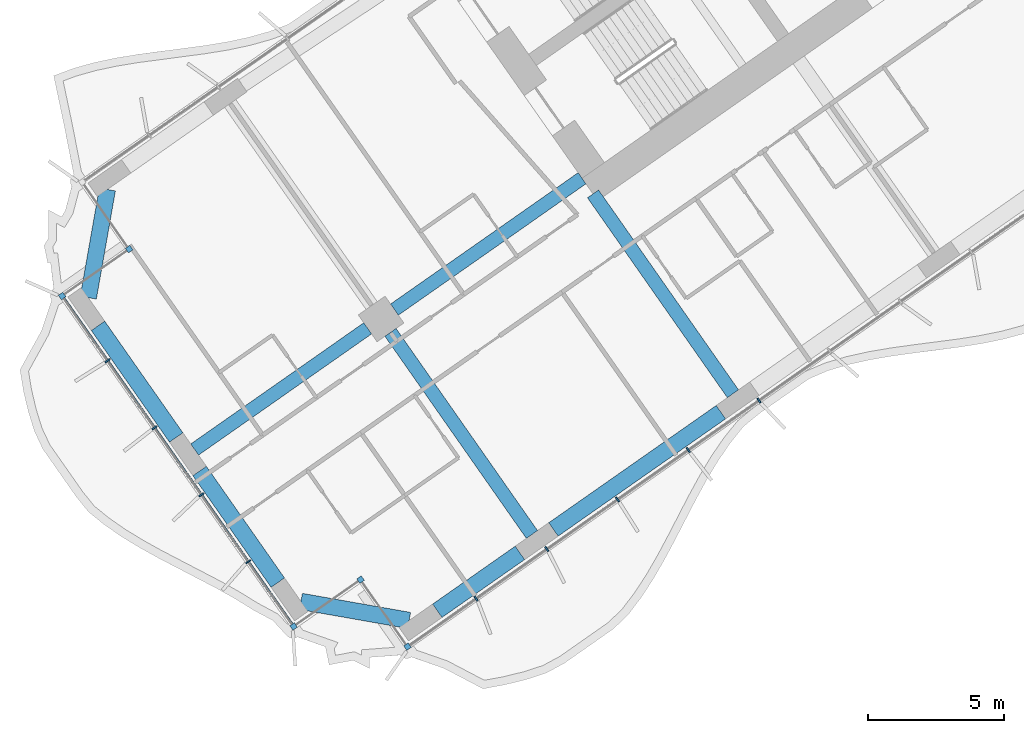
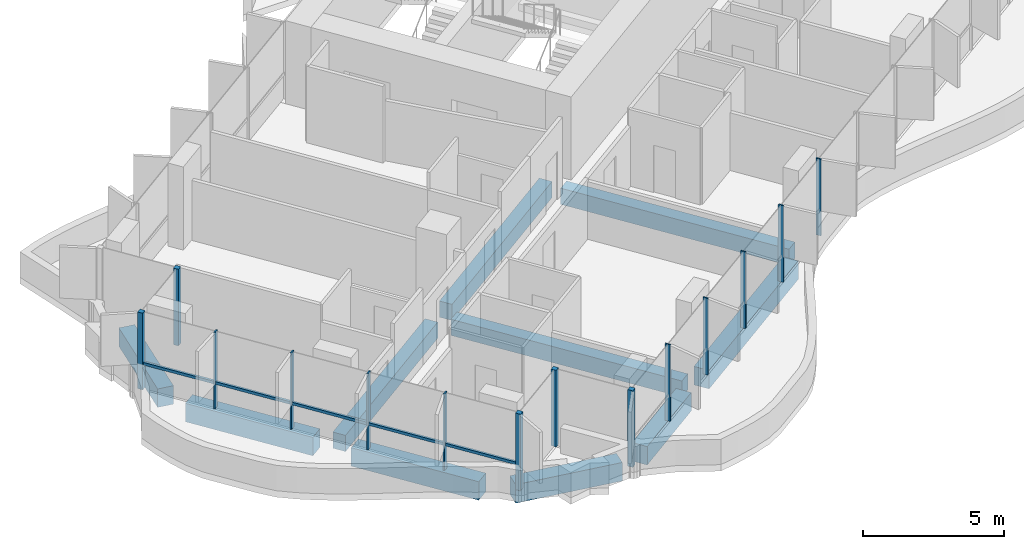
# One storey, part 2 of 23: 15 members, 10 beams, 1 element without a shape of its own.
"""IFC4 building model written with IfcOpenShell, lengths in metres."""

from ifc_helpers import new_model, si_unit, direction, frame, origin, origin_2d, place, context, subcontext, project, spatial, rectangle, extrude, material, material_profile, profile_set, type_object, element, aggregate, save


model = new_model("IFC4")

# Units and contexts
model_context = context("Model", 3, precision=1e-05, world=origin(), true_north=direction((0.0, 1.0)))
body_context = subcontext(model_context, "Body", "Model", "MODEL_VIEW")
ifc_project = project(units=[si_unit("LENGTHUNIT", "METRE"), si_unit("AREAUNIT", "SQUARE_METRE"), si_unit("VOLUMEUNIT", "CUBIC_METRE"), si_unit("PLANEANGLEUNIT", "RADIAN"), si_unit("MASSUNIT", "GRAM", prefix="KILO")], contexts=[model_context])

# Site, building, storey
site_placement = place(None, origin())
site = spatial("IfcSite", under=ifc_project, at=site_placement, CompositionType="ELEMENT")
building_placement = place(site_placement, origin())
building = spatial("IfcBuilding", under=site, at=building_placement, Name="Tel Ilan Convention Tower", CompositionType="ELEMENT")
storey_placement = place(building_placement, frame((0.0, 0.0, 104.89990234375)))
storey = spatial("IfcBuildingStorey", under=building, at=storey_placement, Name="L22", CompositionType="ELEMENT", Elevation=104.89990234375)

# Beams
ifc_material_1 = material(Name="Concrete C40/50", Category="concrete")
ifc_material_profile_1 = material_profile(ifc_material_1, rectangle(XDim=0.5, YDim=0.699951171875, at=origin_2d()), Name="RC 500x700")
ifc_profile_set_1 = profile_set([ifc_material_profile_1], Name="Concrete C40/50")
beam_type_1 = type_object("IfcBeamType", Name="Beam RC 500x700 Concrete C40/50", PredefinedType="BEAM", material=ifc_profile_set_1)
beam_1_placement = place(storey_placement, frame((-16.58203125, -23.391357421875, -0.6298828125), z_axis=(-0.573584999642, 0.819146048141, 0.0), x_axis=(-0.819146048141, -0.573584999642, 0.0)))
element("IfcBeam", 1, at=beam_1_placement, inside=storey, type_object=beam_type_1, Name="L22 beam W-W-F3-core", PredefinedType="BEAM", context=body_context, shape_type="SweptSolid", body=[
    extrude(rectangle(XDim=0.5, YDim=0.699951171875, at=origin_2d()), origin(), (0.0, 0.0, 1.0), 8.949951171875),
])
beam_2_placement = place(storey_placement, frame((-22.1171875, -15.486572265625, -0.6298828125), z_axis=(-0.819147254605, -0.573583276668, 0.0), x_axis=(0.573583276668, -0.819147254605, 0.0)))
element("IfcBeam", 2, at=beam_2_placement, inside=storey, type_object=beam_type_1, Name="L22 beam W-core-W-M4", PredefinedType="BEAM", context=body_context, shape_type="SweptSolid", body=[
    extrude(rectangle(XDim=0.5, YDim=0.699951171875, at=origin_2d()), origin(), (0.0, 0.0, 1.0), 8.400146484375),
])
beam_3_placement = place(storey_placement, frame((-29.98095703125, -20.992919921875, -0.6298828125), z_axis=(-0.819159394801, -0.573565938589, 0.0), x_axis=(0.573565938589, -0.819159394801, 0.0)))
element("IfcBeam", 3, at=beam_3_placement, inside=storey, type_object=beam_type_1, Name="L22 beam W-W-M4-end", PredefinedType="BEAM", context=body_context, shape_type="SweptSolid", body=[
    extrude(rectangle(XDim=0.5, YDim=0.699951171875, at=origin_2d()), origin(), (0.0, 0.0, 1.0), 7.75),
])
beam_4_placement = place(storey_placement, frame((-29.145263671875, -21.14013671875, -0.6298828125), z_axis=(0.573549245583, -0.819171082798, 0.0), x_axis=(0.819171082798, 0.573549245583, 0.0)))
element("IfcBeam", 4, at=beam_4_placement, inside=storey, type_object=beam_type_1, Name="L22 beam W-W-M4-W-F4", PredefinedType="BEAM", context=body_context, shape_type="SweptSolid", body=[
    extrude(rectangle(XDim=0.5, YDim=0.699951171875, at=origin_2d()), origin(), (0.0, 0.0, 1.0), 9.050048828125),
])
ifc_material_2 = material(Name="Concrete C40/50", Category="concrete")
ifc_material_profile_2 = material_profile(ifc_material_2, rectangle(XDim=0.60009765625, YDim=0.800048828125, at=origin_2d()), Name="RC 600x800")
ifc_profile_set_2 = profile_set([ifc_material_profile_2], Name="Concrete C40/50")
beam_type_2 = type_object("IfcBeamType", Name="Beam RC 600x800 Concrete C40/50", PredefinedType="BEAM", material=ifc_profile_set_2)
beam_5_placement = place(storey_placement, frame((-17.0244140625, -24.0673828125, -0.679931640625), z_axis=(-0.81915238829, -0.573575945067, 0.0), x_axis=(0.573575945067, -0.81915238829, 0.0)))
element("IfcBeam", 5, at=beam_5_placement, inside=storey, type_object=beam_type_2, Name="L22 beam W-W-F3-W-F4", PredefinedType="BEAM", context=body_context, shape_type="SweptSolid", body=[
    extrude(rectangle(XDim=0.60009765625, YDim=0.800048828125, at=origin_2d()), origin(), (0.0, 0.0, 1.0), 7.5),
])
beam_6_placement = place(storey_placement, frame((-24.396728515625, -29.2294921875, -0.679931640625), z_axis=(-0.819132709951, -0.573604047656, 0.0), x_axis=(0.573604047656, -0.819132709951, 0.0)))
element("IfcBeam", 6, at=beam_6_placement, inside=storey, type_object=beam_type_2, Name="L22 beam W-W-F4-W-FC", PredefinedType="BEAM", context=body_context, shape_type="SweptSolid", body=[
    extrude(rectangle(XDim=0.60009765625, YDim=0.800048828125, at=origin_2d()), origin(), (0.0, 0.0, 1.0), 3.699951171875),
])
beam_7_placement = place(storey_placement, frame((-28.459716796875, -31.708251953125, -0.679931640625), z_axis=(-0.984806721117, 0.173654029734, 0.0), x_axis=(-0.173654029734, -0.984806721117, 0.0)))
element("IfcBeam", 7, at=beam_7_placement, inside=storey, type_object=beam_type_2, Name="L22 beam W-W-FC-W-E1", PredefinedType="BEAM", context=body_context, shape_type="SweptSolid", body=[
    extrude(rectangle(XDim=0.60009765625, YDim=0.800048828125, at=origin_2d()), origin(), (0.0, 0.0, 1.0), 4.03076171875),
])
for number, where, z_axis, x_axis, name in (
    (8, (-33.277099609375, -30.3203125, -0.679931640625), (-0.573586866468, 0.819144740944, 0.0), (-0.819144740944, -0.573586866468, 0.0), "L22 beam W-W-E1-W-E2"),
    (9, (-37.00537109375, -24.995849609375, -0.679931640625), (-0.573586866468, 0.819144740944, 0.0), (-0.819144740944, -0.573586866468, 0.0), "L22 beam W-W-E2-W-E3"),
):
    element("IfcBeam", number, at=place(storey_placement, frame(where, z_axis=z_axis, x_axis=x_axis)), inside=storey, type_object=beam_type_2, Name=name, PredefinedType="BEAM", context=body_context, shape_type="SweptSolid", body=[
        extrude(rectangle(XDim=0.60009765625, YDim=0.800048828125, at=origin_2d()), origin(), (0.0, 0.0, 1.0), 5.0),
    ])
beam_8_placement = place(storey_placement, frame((-40.229736328125, -19.867919921875, -0.679931640625), z_axis=(0.173664388751, 0.984804894423, 0.0), x_axis=(-0.984804894423, 0.173664388751, 0.0)))
element("IfcBeam", 10, at=beam_8_placement, inside=storey, type_object=beam_type_2, Name="L22 beam W-W-E3-W-BC", PredefinedType="BEAM", context=body_context, shape_type="SweptSolid", body=[
    extrude(rectangle(XDim=0.60009765625, YDim=0.800048828125, at=origin_2d()), origin(), (0.0, 0.0, 1.0), 4.030517578125),
])

# Curtain wall, members
ifc_material_3 = material(Name="Aluminium, bronze anodised", Category="aluminium")
curtain_wall_type = type_object("IfcCurtainWallType", Name="CW1 UNITISED CURTAIN WALL, HOTEL TINTED GLASS", PredefinedType="NOTDEFINED", material=ifc_material_3)
curtain_wall_placement = place(storey_placement, origin())
curtain_wall = element("IfcCurtainWall", 11, at=curtain_wall_placement, inside=storey, type_object=curtain_wall_type, Name="Curtain wall CW1-19.02", PredefinedType="NOTDEFINED")
ifc_material_4 = material(Name="Aluminium, bronze anodised", Category="aluminium")
ifc_material_profile_3 = material_profile(ifc_material_4, rectangle(XDim=0.199951171875, YDim=0.199951171875, at=origin_2d()), Name="CW CORNER MULLION 200x200")
ifc_profile_set_3 = profile_set([ifc_material_profile_3], Name="Aluminium, bronze anodised")
member_type_1 = type_object("IfcMemberType", Name="CW CORNER MULLION 200x200", PredefinedType="MULLION", material=ifc_profile_set_3)
member_1_placement = place(storey_placement, frame((-38.730712890625, -18.0859375, 0.0), z_axis=(0.0, 0.0, 1.0), x_axis=(0.573576436351, -0.819152044289, 0.0)))
member_1 = element("IfcMember", 12, at=member_1_placement, type_object=member_type_1, Name="Corner mullion", PredefinedType="MULLION", context=body_context, shape_type="SweptSolid", body=[
    extrude(rectangle(XDim=0.199951171875, YDim=0.199951171875, at=origin_2d()), origin(), (0.0, 0.0, 1.0), 3.320068359375),
])
member_2_placement = place(storey_placement, frame((-41.188232421875, -19.806640625, 0.0), z_axis=(0.0, 0.0, 1.0), x_axis=(-0.819152044289, -0.573576436351, 0.0)))
member_2 = element("IfcMember", 13, at=member_2_placement, type_object=member_type_1, Name="Corner mullion", PredefinedType="MULLION", context=body_context, shape_type="SweptSolid", body=[
    extrude(rectangle(XDim=0.199951171875, YDim=0.199951171875, at=origin_2d()), origin(), (0.0, 0.0, 1.0), 3.320068359375),
])
member_3_placement = place(storey_placement, frame((-32.69921875, -31.929931640625, 0.0), z_axis=(0.0, 0.0, 1.0), x_axis=(0.573576436351, -0.819152044289, 0.0)))
member_3 = element("IfcMember", 14, at=member_3_placement, type_object=member_type_1, Name="Corner mullion", PredefinedType="MULLION", context=body_context, shape_type="SweptSolid", body=[
    extrude(rectangle(XDim=0.199951171875, YDim=0.199951171875, at=origin_2d()), origin(), (0.0, 0.0, 1.0), 3.320068359375),
])
member_4_placement = place(storey_placement, frame((-30.241943359375, -30.209228515625, 0.0), z_axis=(0.0, 0.0, 1.0), x_axis=(0.819152044289, 0.573576436351, 0.0)))
member_4 = element("IfcMember", 15, at=member_4_placement, type_object=member_type_1, Name="Corner mullion", PredefinedType="MULLION", context=body_context, shape_type="SweptSolid", body=[
    extrude(rectangle(XDim=0.199951171875, YDim=0.199951171875, at=origin_2d()), origin(), (0.0, 0.0, 1.0), 3.320068359375),
])
member_5_placement = place(storey_placement, frame((-28.52099609375, -32.666748046875, 0.0), z_axis=(0.0, 0.0, 1.0), x_axis=(0.573576436351, -0.819152044289, 0.0)))
member_5 = element("IfcMember", 16, at=member_5_placement, type_object=member_type_1, Name="Corner mullion", PredefinedType="MULLION", context=body_context, shape_type="SweptSolid", body=[
    extrude(rectangle(XDim=0.199951171875, YDim=0.199951171875, at=origin_2d()), origin(), (0.0, 0.0, 1.0), 3.320068359375),
])
ifc_material_5 = material(Name="Aluminium, bronze anodised", Category="aluminium")
ifc_material_profile_4 = material_profile(ifc_material_5, rectangle(XDim=0.06005859375, YDim=0.199951171875, at=origin_2d()), Name="CW MULLION 60x200")
ifc_profile_set_4 = profile_set([ifc_material_profile_4], Name="Aluminium, bronze anodised")
member_type_2 = type_object("IfcMemberType", Name="CW MULLION 60x200", PredefinedType="MULLION", material=ifc_profile_set_4)
member_6_placement = place(storey_placement, frame((-39.52490234375, -22.18212890625, 0.0), z_axis=(0.0, 0.0, 1.0), x_axis=(0.573576436351, -0.819152044289, 0.0)))
member_6 = element("IfcMember", 17, at=member_6_placement, type_object=member_type_2, Name="Mullion", PredefinedType="MULLION", context=body_context, shape_type="SweptSolid", body=[
    extrude(rectangle(XDim=0.06005859375, YDim=0.199951171875, at=origin_2d()), origin(), (0.0, 0.0, 1.0), 3.320068359375),
])
member_7_placement = place(storey_placement, frame((-37.80419921875, -24.6396484375, 0.0), z_axis=(0.0, 0.0, 1.0), x_axis=(0.573576436351, -0.819152044289, 0.0)))
member_7 = element("IfcMember", 18, at=member_7_placement, type_object=member_type_2, Name="Mullion", PredefinedType="MULLION", context=body_context, shape_type="SweptSolid", body=[
    extrude(rectangle(XDim=0.06005859375, YDim=0.199951171875, at=origin_2d()), origin(), (0.0, 0.0, 1.0), 3.320068359375),
])
member_8_placement = place(storey_placement, frame((-36.08349609375, -27.096923828125, 0.0), z_axis=(0.0, 0.0, 1.0), x_axis=(0.573576436351, -0.819152044289, 0.0)))
member_8 = element("IfcMember", 19, at=member_8_placement, type_object=member_type_2, Name="Mullion", PredefinedType="MULLION", context=body_context, shape_type="SweptSolid", body=[
    extrude(rectangle(XDim=0.06005859375, YDim=0.199951171875, at=origin_2d()), origin(), (0.0, 0.0, 1.0), 3.320068359375),
])
member_9_placement = place(storey_placement, frame((-34.362548828125, -29.554443359375, 0.0), z_axis=(0.0, 0.0, 1.0), x_axis=(0.573576436351, -0.819152044289, 0.0)))
member_9 = element("IfcMember", 20, at=member_9_placement, type_object=member_type_2, Name="Mullion", PredefinedType="MULLION", context=body_context, shape_type="SweptSolid", body=[
    extrude(rectangle(XDim=0.06005859375, YDim=0.199951171875, at=origin_2d()), origin(), (0.0, 0.0, 1.0), 3.320068359375),
])
member_10_placement = place(storey_placement, frame((-26.008056640625, -30.906982421875, 0.0), z_axis=(0.0, 0.0, 1.0), x_axis=(0.819152044289, 0.573576436351, 0.0)))
member_10 = element("IfcMember", 21, at=member_10_placement, type_object=member_type_2, Name="Mullion", PredefinedType="MULLION", context=body_context, shape_type="SweptSolid", body=[
    extrude(rectangle(XDim=0.06005859375, YDim=0.199951171875, at=origin_2d()), origin(), (0.0, 0.0, 1.0), 3.320068359375),
])
member_11_placement = place(storey_placement, frame((-23.412841796875, -29.08984375, 0.0), z_axis=(0.0, 0.0, 1.0), x_axis=(0.819152044289, 0.573576436351, 0.0)))
member_11 = element("IfcMember", 22, at=member_11_placement, type_object=member_type_2, Name="Mullion", PredefinedType="MULLION", context=body_context, shape_type="SweptSolid", body=[
    extrude(rectangle(XDim=0.06005859375, YDim=0.199951171875, at=origin_2d()), origin(), (0.0, 0.0, 1.0), 3.320068359375),
])
member_12_placement = place(storey_placement, frame((-20.81787109375, -27.27294921875, 0.0), z_axis=(0.0, 0.0, 1.0), x_axis=(0.819152044289, 0.573576436351, 0.0)))
member_12 = element("IfcMember", 23, at=member_12_placement, type_object=member_type_2, Name="Mullion", PredefinedType="MULLION", context=body_context, shape_type="SweptSolid", body=[
    extrude(rectangle(XDim=0.06005859375, YDim=0.199951171875, at=origin_2d()), origin(), (0.0, 0.0, 1.0), 3.320068359375),
])
member_13_placement = place(storey_placement, frame((-18.222900390625, -25.455810546875, 0.0), z_axis=(0.0, 0.0, 1.0), x_axis=(0.819152044289, 0.573576436351, 0.0)))
member_13 = element("IfcMember", 24, at=member_13_placement, type_object=member_type_2, Name="Mullion", PredefinedType="MULLION", context=body_context, shape_type="SweptSolid", body=[
    extrude(rectangle(XDim=0.06005859375, YDim=0.199951171875, at=origin_2d()), origin(), (0.0, 0.0, 1.0), 3.320068359375),
])
member_14_placement = place(storey_placement, frame((-15.627685546875, -23.638671875, 0.0), z_axis=(0.0, 0.0, 1.0), x_axis=(0.819152044289, 0.573576436351, 0.0)))
member_14 = element("IfcMember", 25, at=member_14_placement, type_object=member_type_2, Name="Mullion", PredefinedType="MULLION", context=body_context, shape_type="SweptSolid", body=[
    extrude(rectangle(XDim=0.06005859375, YDim=0.199951171875, at=origin_2d()), origin(), (0.0, 0.0, 1.0), 3.320068359375),
])
ifc_material_6 = material(Name="Aluminium, bronze anodised", Category="aluminium")
ifc_material_profile_5 = material_profile(ifc_material_6, rectangle(XDim=0.10009765625, YDim=0.1201171875, at=origin_2d()), Name="CW TRANSOM 100x120")
ifc_profile_set_5 = profile_set([ifc_material_profile_5], Name="Aluminium, bronze anodised")
member_type_3 = type_object("IfcMemberType", Name="CW TRANSOM 100x120", PredefinedType="USERDEFINED", material=ifc_profile_set_5)
member_15_placement = place(storey_placement, frame((-41.130859375, -19.888427734375, 1.10009765625), z_axis=(0.573575688231, -0.819152568128, 0.0), x_axis=(0.819152568128, 0.573575688231, 0.0)))
member_15 = element("IfcMember", 26, at=member_15_placement, type_object=member_type_3, Name="Transom", ObjectType="TRANSOM", PredefinedType="USERDEFINED", context=body_context, shape_type="SweptSolid", body=[
    extrude(rectangle(XDim=0.10009765625, YDim=0.1201171875, at=origin_2d()), origin(), (0.0, 0.0, 1.0), 14.60009765625),
])
aggregate(curtain_wall, [member_1, member_2, member_6, member_7, member_8, member_9, member_3, member_15, member_4, member_5, member_10, member_11, member_12, member_13, member_14])

save(model, "model.ifc")
